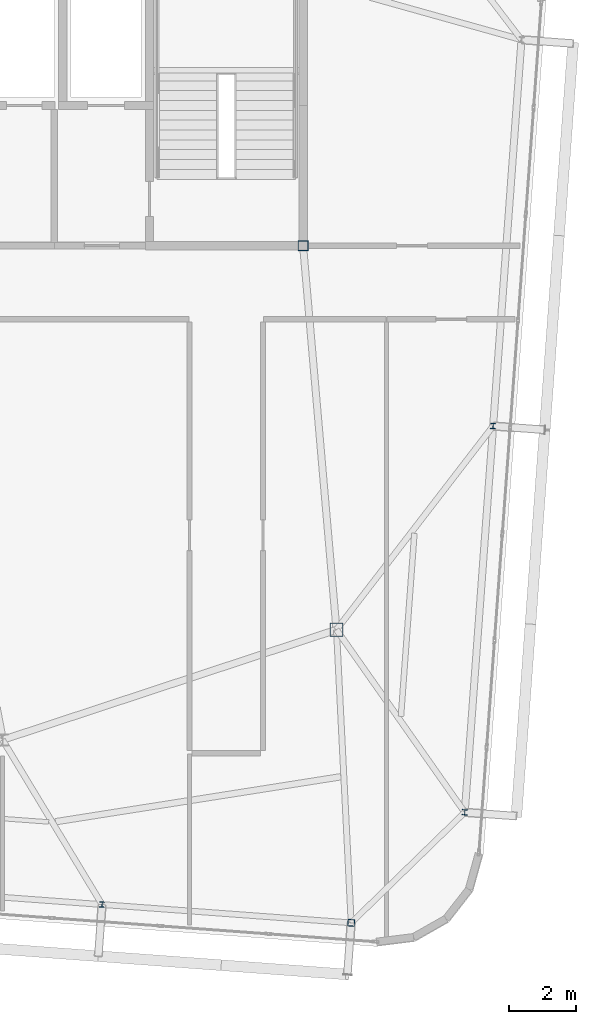
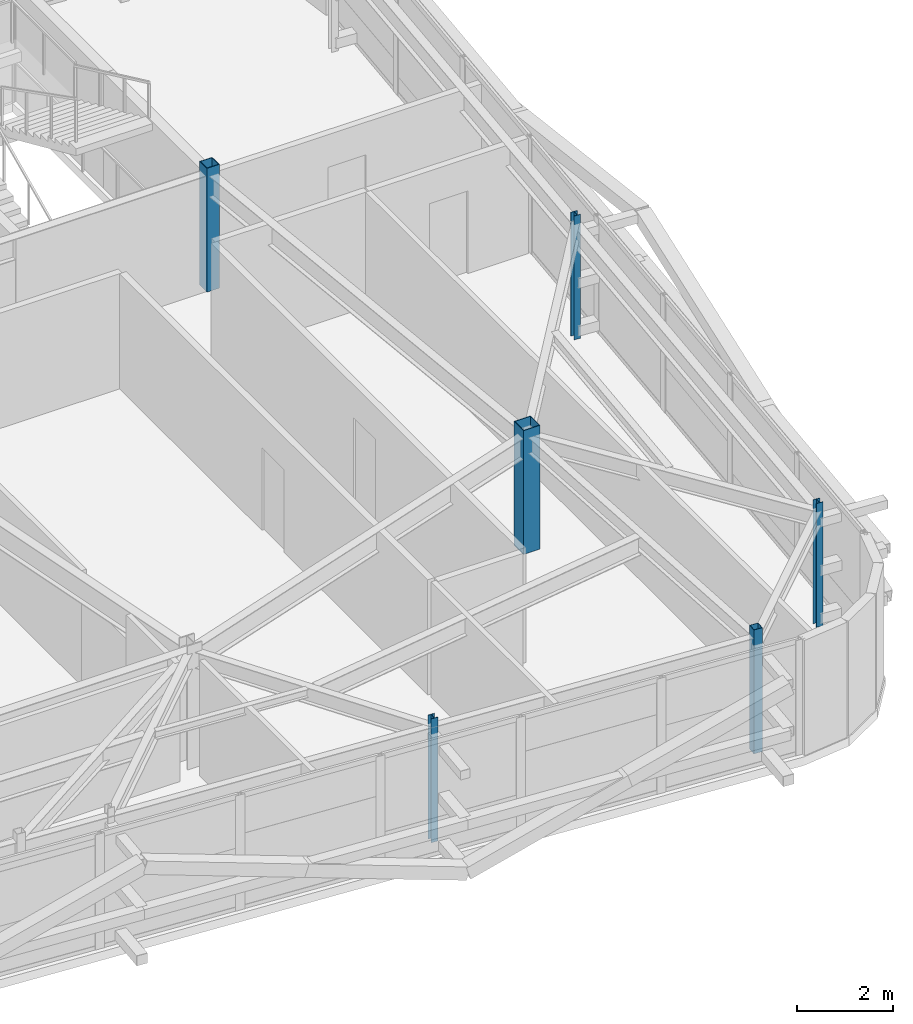
# One storey, part 5 of 42: 6 columns.
"""IFC4 building model written with IfcOpenShell, lengths in metres."""

from ifc_helpers import new_model, si_unit, direction, frame, origin, origin_2d, place, context, subcontext, project, spatial, hollow_rectangle, i_section, extrude, source, transform, mapped, material, material_profile, profile_set, type_object, element, save


model = new_model("IFC4")

# Units and contexts
model_context = context("Model", 3, precision=1e-05, world=origin(), true_north=direction((0.0, 1.0)))
body_context = subcontext(model_context, "Body", "Model", "MODEL_VIEW")
ifc_project = project(units=[si_unit("LENGTHUNIT", "METRE"), si_unit("AREAUNIT", "SQUARE_METRE"), si_unit("VOLUMEUNIT", "CUBIC_METRE"), si_unit("PLANEANGLEUNIT", "RADIAN"), si_unit("MASSUNIT", "GRAM", prefix="KILO")], contexts=[model_context])

# Site, building, storey
site_placement = place(None, origin())
site = spatial("IfcSite", under=ifc_project, at=site_placement, CompositionType="ELEMENT")
building_placement = place(site_placement, origin())
building = spatial("IfcBuilding", under=site, at=building_placement, Name="Taldren Reach Tower", CompositionType="ELEMENT")
storey_placement = place(building_placement, frame((0.0, 0.0, 217.699951171875)))
storey = spatial("IfcBuildingStorey", under=building, at=storey_placement, Name="L66", CompositionType="ELEMENT", Elevation=217.699951171875)

# Columns
ifc_material_1 = material(Name="Steel Gr 450 (C450L0)", Category="steel")
ifc_material_profile_1 = material_profile(ifc_material_1, hollow_rectangle(XDim=0.39990234375, YDim=0.39990234375, WallThickness=0.01611328125, at=origin_2d()), Name="400x400x16.0SHS")
ifc_profile_set_1 = profile_set([ifc_material_profile_1], Name="Steel Gr 450 (C450L0)")
column_type_1 = type_object("IfcColumnType", Name="COL-SHS400", PredefinedType="COLUMN", material=ifc_profile_set_1)
shared_shape_1 = source(origin(), body_context, "Body", "SweptSolid", [
    extrude(hollow_rectangle(XDim=0.39990234375, YDim=0.39990234375, WallThickness=0.01611328125, at=origin_2d()), origin(), (0.0, 0.0, 1.0), 3.150146484375),
])
column_1_placement = place(storey_placement, frame((52.0, 12.5, 0.0), z_axis=(0.0, 0.0, 1.0), x_axis=(1.0, 0.0, 0.0)))
element("IfcColumn", 1, at=column_1_placement, inside=storey, type_object=column_type_1, Name="Mega column MC-SE L66", PredefinedType="COLUMN", context=body_context, shape_type="MappedRepresentation", body=[
    mapped(shared_shape_1, transform((0.0, 0.0, 0.0), scale=1.0)),
])
ifc_material_profile_2 = material_profile(ifc_material_1, hollow_rectangle(XDim=0.300048828125, YDim=0.300048828125, WallThickness=0.012451171875, at=origin_2d()), Name="300x300x12.5SHS")
ifc_profile_set_2 = profile_set([ifc_material_profile_2], Name="Steel Gr 450 (C450L0)")
column_type_2 = type_object("IfcColumnType", Name="COL-SHS300", PredefinedType="COLUMN", material=ifc_profile_set_2)
shared_shape_2 = source(origin(), body_context, "Body", "SweptSolid", [
    extrude(hollow_rectangle(XDim=0.300048828125, YDim=0.300048828125, WallThickness=0.012451171875, at=origin_2d()), origin(), (0.0, 0.0, 1.0), 3.150146484375),
])
column_2_placement = place(storey_placement, frame((51.0, 24.0, 0.0), z_axis=(0.0, 0.0, 1.0), x_axis=(1.0, 0.0, 0.0)))
element("IfcColumn", 2, at=column_2_placement, inside=storey, type_object=column_type_2, Name="Mega column MC-C4 L66", PredefinedType="COLUMN", context=body_context, shape_type="MappedRepresentation", body=[
    mapped(shared_shape_2, transform((0.0, 0.0, 0.0), scale=1.0)),
])
ifc_material_2 = material(Name="Steel Gr 350 (C350L0)", Category="steel")
ifc_material_profile_3 = material_profile(ifc_material_2, hollow_rectangle(XDim=0.199951171875, YDim=0.199951171875, WallThickness=0.009033203125, at=origin_2d()), Name="200x200x9.0SHS")
ifc_profile_set_3 = profile_set([ifc_material_profile_3], Name="Steel Gr 350 (C350L0)")
column_type_3 = type_object("IfcColumnType", Name="COL-SHS200", PredefinedType="COLUMN", material=ifc_profile_set_3)
shared_shape_3 = source(origin(), body_context, "Body", "SweptSolid", [
    extrude(hollow_rectangle(XDim=0.199951171875, YDim=0.199951171875, WallThickness=0.009033203125, at=origin_2d()), origin(), (0.0, 0.0, 1.0), 3.150146484375),
])
column_3_placement = place(storey_placement, frame((52.440185546875, 3.72119140625, 0.0), z_axis=(0.0, 0.0, 1.0), x_axis=(0.997314477224, -0.073238197128, 0.0)))
element("IfcColumn", 3, at=column_3_placement, inside=storey, type_object=column_type_3, Name="Block B5 perimeter column S6 L66", PredefinedType="COLUMN", context=body_context, shape_type="MappedRepresentation", body=[
    mapped(shared_shape_3, transform((0.0, 0.0, 0.0), scale=1.0)),
])
ifc_material_3 = material(Name="Steel Gr 350 (350PLUS)", Category="steel")
ifc_material_profile_4 = material_profile(ifc_material_3, i_section(OverallWidth=0.154052734375, OverallDepth=0.162109375, WebThickness=0.008056640625, FlangeThickness=0.011474609375, at=origin_2d()), Name="150UC37.2")
ifc_profile_set_4 = profile_set([ifc_material_profile_4], Name="Steel Gr 350 (350PLUS)")
column_type_4 = type_object("IfcColumnType", Name="COL-UC150", PredefinedType="COLUMN", material=ifc_profile_set_4)
shared_shape_4 = source(origin(), body_context, "Body", "SweptSolid", [
    extrude(i_section(OverallWidth=0.154052734375, OverallDepth=0.162109375, WebThickness=0.008056640625, FlangeThickness=0.011474609375, at=origin_2d()), origin(), (0.0, 0.0, 1.0), 3.150146484375),
])
for number, where, z_axis, x_axis, name in (
    (4, (44.980224609375, 4.26904296875, 0.0), (0.0, 0.0, 1.0), (0.997314477224, -0.073238197128, 0.0), "Block B5 perimeter column S5 L66"),
    (5, (55.841796875, 7.031005859375, 0.0), (0.0, 0.0, 1.0), (0.997314477224, -0.073238197128, 0.0), "Block B5 perimeter column E1 L66"),
    (6, (56.69140625, 18.599853515625, 0.0), (0.0, 0.0, 1.0), (0.997314477224, -0.073238197128, 0.0), "Block B5 perimeter column E2 L66"),
):
    element("IfcColumn", number, at=place(storey_placement, frame(where, z_axis=z_axis, x_axis=x_axis)), inside=storey, type_object=column_type_4, Name=name, PredefinedType="COLUMN", context=body_context, shape_type="MappedRepresentation", body=[
        mapped(shared_shape_4, transform((0.0, 0.0, 0.0), scale=1.0)),
    ])

save(model, "model.ifc")
